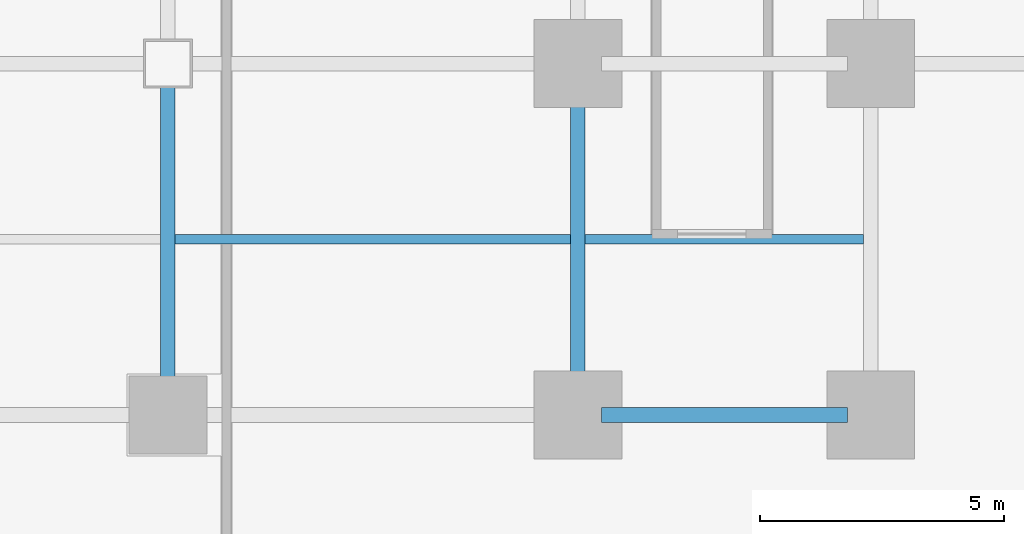
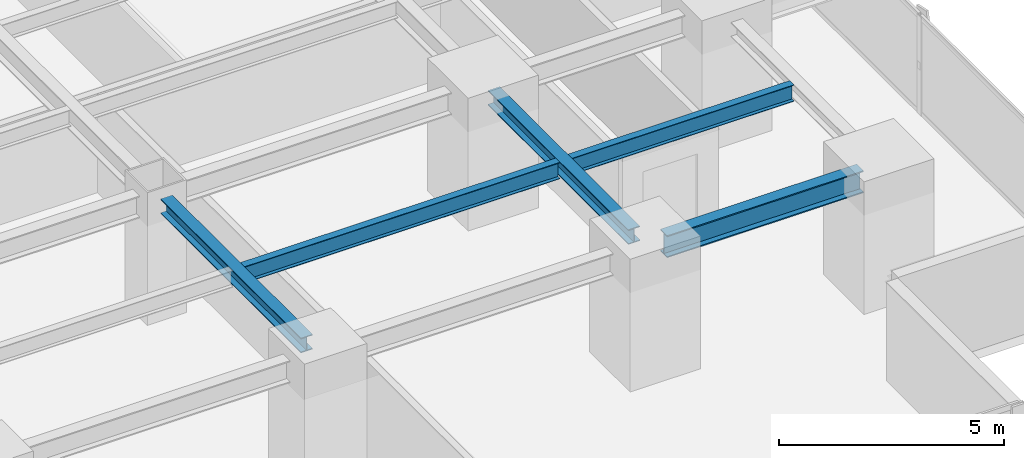
# One storey, part 12 of 33: 5 beams.
"""IFC4 building model written with IfcOpenShell, lengths in metres."""

import ifcopenshell
import ifcopenshell.guid

model = None  # the IFC model being written
_history = None  # IfcOwnerHistory: only IFC2X3 demands one
_inside = {}  # id of a spatial element -> (the spatial element, [elements in it])
_under = {}  # id of a project, library or spatial element -> (it, [spatial elements below it])
_declared = {}  # id of a project -> (the project, [libraries it declares])
_typed = {}  # id of a type object -> (the type object, [elements of that type])
_made_of = {}  # id of a material, layer set ... -> (it, [elements and type objects made of it])


def new_model(schema):
    """Start an empty IFC model of exactly this schema.

    Asked for "IFC4X3", IfcOpenShell would pick the latest addendum, in which some entities
    have other attributes; the version numbers below select the first issue.
    IFC2X3 requires an IfcOwnerHistory on every rooted entity: one is made here for all.
    """
    global model, _history
    if schema == "IFC4X3":
        model = ifcopenshell.file(schema_version=(4, 3, 0, 0))
    else:
        model = ifcopenshell.file(schema=schema)
    _inside.clear()
    _under.clear()
    _declared.clear()
    _typed.clear()
    _made_of.clear()
    _history = None
    if model.schema == "IFC2X3":
        org = make("IfcOrganization", Name="unknown")
        user = make(
            "IfcPersonAndOrganization",
            ThePerson=make("IfcPerson", FamilyName="unknown"),
            TheOrganization=org,
        )
        app = make(
            "IfcApplication",
            ApplicationDeveloper=org,
            Version="unknown",
            ApplicationFullName="unknown",
            ApplicationIdentifier="unknown",
        )
        _history = make(
            "IfcOwnerHistory",
            OwningUser=user,
            OwningApplication=app,
            ChangeAction="ADDED",
            CreationDate=0,
        )
    return model


def make(cls, **values):
    """One entity of the class cls with the attributes given. An attribute that is None is left unset."""
    return model.create_entity(
        cls, **{name: value for name, value in values.items() if value is not None}
    )


def rooted(cls, **values):
    """An entity with a GlobalId (a new one), such as an element, a storey or a relation."""
    return make(cls, GlobalId=ifcopenshell.guid.new(), OwnerHistory=_history, **values)


def si_unit(unit_type, name, prefix=None):
    """IfcSIUnit, for example si_unit("LENGTHUNIT", "METRE", prefix="MILLI")."""
    return make("IfcSIUnit", UnitType=unit_type, Prefix=prefix, Name=name)


def assignment(units):
    """IfcUnitAssignment: the units of a project."""
    return None if units is None else make("IfcUnitAssignment", Units=units)


def point(xyz):
    """IfcCartesianPoint."""
    return None if xyz is None else make("IfcCartesianPoint", Coordinates=xyz)


def direction(xyz):
    """IfcDirection."""
    return None if xyz is None else make("IfcDirection", DirectionRatios=xyz)


def frame(location, z_axis=None, x_axis=None):
    """IfcAxis2Placement3D, a coordinate frame: its origin and axes. An axis left out is left unset."""
    return make(
        "IfcAxis2Placement3D",
        Location=point(location),
        Axis=direction(z_axis),
        RefDirection=direction(x_axis),
    )


def frame_2d(location, x_axis=None):
    """IfcAxis2Placement2D, a coordinate frame in the plane: its origin and x axis."""
    return make(
        "IfcAxis2Placement2D", Location=point(location), RefDirection=direction(x_axis)
    )


def origin():
    """The frame at (0, 0, 0) with its axes left unset."""
    return frame((0.0, 0.0, 0.0))


def origin_2d():
    """The frame at (0, 0) in the plane with its x axis left unset."""
    return frame_2d((0.0, 0.0))


def place(relative_to, where):
    """IfcLocalPlacement: puts the frame where relative to a parent placement (None: the world)."""
    return make(
        "IfcLocalPlacement", PlacementRelTo=relative_to, RelativePlacement=where
    )


def context(
    kind, dimensions, precision=None, world=None, true_north=None, identifier=None
):
    """IfcGeometricRepresentationContext, for example the 3D "Model" context."""
    return make(
        "IfcGeometricRepresentationContext",
        ContextIdentifier=identifier,
        ContextType=kind,
        CoordinateSpaceDimension=dimensions,
        Precision=precision,
        WorldCoordinateSystem=world,
        TrueNorth=true_north,
    )


def subcontext(parent, identifier, kind, view, scale=None):
    """IfcGeometricRepresentationSubContext, for example "Body" below "Model"."""
    return make(
        "IfcGeometricRepresentationSubContext",
        ContextIdentifier=identifier,
        ContextType=kind,
        ParentContext=parent,
        TargetScale=scale,
        TargetView=view,
    )


def project(units=None, contexts=None):
    """IfcProject with its units and contexts."""
    return rooted(
        "IfcProject",
        Name="project",
        RepresentationContexts=contexts,
        UnitsInContext=assignment(units),
    )


def spatial(cls, under=None, at=None, **own):
    """A site, building, storey or space (cls), placed at a placement, below another one or the project."""
    s = rooted(cls, ObjectPlacement=at, **own)
    if under is not None:
        _under.setdefault(under.id(), (under, []))[1].append(s)
    return s


def profile(cls, at=None, kind="AREA", **sizes):
    """A parametric profile (cls). Its sizes go by their IFC names, for example OverallWidth=200.0."""
    return make(cls, ProfileType=kind, Position=at, **sizes)


def i_section(**sizes):
    """IfcIShapeProfileDef."""
    return profile("IfcIShapeProfileDef", **sizes)


def extrude(swept, where, along, depth):
    """IfcExtrudedAreaSolid: the profile swept, set in the frame where, extruded along a direction by depth."""
    return make(
        "IfcExtrudedAreaSolid",
        SweptArea=swept,
        Position=where,
        ExtrudedDirection=direction(along),
        Depth=depth,
    )


def shape(context_of_items, identifier, shape_type, items):
    """IfcShapeRepresentation: the items that make up one representation, for example the "Body"."""
    return make(
        "IfcShapeRepresentation",
        ContextOfItems=context_of_items,
        RepresentationIdentifier=identifier,
        RepresentationType=shape_type,
        Items=items,
    )


def source(mapping_origin, context_of_items, identifier, shape_type, items):
    """IfcRepresentationMap: a shape defined once, which mapped items show again and again."""
    return make(
        "IfcRepresentationMap",
        MappingOrigin=mapping_origin,
        MappedRepresentation=shape(context_of_items, identifier, shape_type, items),
    )


def transform(
    local_origin,
    x_axis=None,
    y_axis=None,
    z_axis=None,
    scale=None,
    scale2=None,
    scale3=None,
    uniform=True,
):
    """IfcCartesianTransformationOperator3D, or its non-uniform kind. x_axis, y_axis, z_axis: its Axis1, 2, 3."""
    if uniform:
        return make(
            "IfcCartesianTransformationOperator3D",
            Axis1=direction(x_axis),
            Axis2=direction(y_axis),
            LocalOrigin=point(local_origin),
            Scale=scale,
            Axis3=direction(z_axis),
        )
    return make(
        "IfcCartesianTransformationOperator3DnonUniform",
        Axis1=direction(x_axis),
        Axis2=direction(y_axis),
        LocalOrigin=point(local_origin),
        Scale=scale,
        Axis3=direction(z_axis),
        Scale2=scale2,
        Scale3=scale3,
    )


def mapped(mapping_source, mapping_target):
    """IfcMappedItem: shows the shape of a source again, moved by a transform."""
    return make(
        "IfcMappedItem", MappingSource=mapping_source, MappingTarget=mapping_target
    )


def material(Name=None, Category=None):
    """IfcMaterial."""
    return make("IfcMaterial", Name=Name, Category=Category)


def material_profile(
    of_material, cross_section, Name=None, Category=None, Priority=None
):
    """IfcMaterialProfile: a cross section and its material."""
    return make(
        "IfcMaterialProfile",
        Name=Name,
        Material=of_material,
        Profile=cross_section,
        Priority=Priority,
        Category=Category,
    )


def profile_set(profiles, Name=None, composite=None):
    """IfcMaterialProfileSet."""
    return make(
        "IfcMaterialProfileSet",
        Name=Name,
        MaterialProfiles=profiles,
        CompositeProfile=composite,
    )


def made_of(thing, what):
    """Note that an element or type object is made of a material, layer set ...; save() writes the relation."""
    if what is not None:
        _made_of.setdefault(what.id(), (what, []))[1].append(thing)
    return thing


def type_object(cls, material=None, **own):
    """A type object (cls), such as IfcWallType, which elements share."""
    return made_of(rooted(cls, **own), material)


def element(
    cls,
    number,
    at=None,
    inside=None,
    cuts=None,
    type_object=None,
    material=None,
    context=None,
    identifier="Body",
    shape_type=None,
    held_by="IfcProductDefinitionShape",
    body=None,
    shapes=None,
    **own,
):
    """One element of the class cls, such as IfcWall. Its Tag is "e" and its number.

    at: its placement. inside: the storey or other place that contains it. cuts: it is an
    opening in that element (IfcRelVoidsElement). A single representation is given by context,
    identifier, shape_type and body (its items); several are given by shapes. held_by: the class
    of the entity that holds the representations. save() writes the other relations.
    """
    e = rooted(cls, Tag="e%d" % number, ObjectPlacement=at, **own)
    if body is not None:
        shapes = [shape(context, identifier, shape_type, body)]
    if shapes is not None:
        e.Representation = make(held_by, Representations=shapes)
    if inside is not None:
        _inside.setdefault(inside.id(), (inside, []))[1].append(e)
    if cuts is not None:
        rooted(
            "IfcRelVoidsElement", RelatingBuildingElement=cuts, RelatedOpeningElement=e
        )
    if type_object is not None:
        _typed.setdefault(type_object.id(), (type_object, []))[1].append(e)
    return made_of(e, material)


def aggregate(whole, parts):
    """IfcRelAggregates: a whole, such as a stair, and the parts it consists of."""
    return rooted("IfcRelAggregates", RelatingObject=whole, RelatedObjects=parts)


def save(model, path):
    """Write the relations noted so far, then the file.

    IfcRelAggregates (storeys below a building ...), IfcRelContainedInSpatialStructure (elements
    in a storey), IfcRelDefinesByType, IfcRelAssociatesMaterial and IfcRelDeclares: one each for
    every whole, place, type object, material and project.
    """
    for whole, parts in _under.values():
        aggregate(whole, parts)
    for where, things in _inside.values():
        rooted(
            "IfcRelContainedInSpatialStructure",
            RelatedElements=things,
            RelatingStructure=where,
        )
    for kind, things in _typed.values():
        rooted("IfcRelDefinesByType", RelatedObjects=things, RelatingType=kind)
    for what, things in _made_of.values():
        rooted("IfcRelAssociatesMaterial", RelatedObjects=things, RelatingMaterial=what)
    for by, libraries in _declared.values():
        rooted("IfcRelDeclares", RelatingContext=by, RelatedDefinitions=libraries)
    model.write(path)


model = new_model("IFC4")

# Units and contexts
model_context = context("Model", 3, precision=1e-05, world=origin(), true_north=direction((0.0, 1.0)))
body_context = subcontext(model_context, "Body", "Model", "MODEL_VIEW")
ifc_project = project(units=[si_unit("LENGTHUNIT", "METRE"), si_unit("AREAUNIT", "SQUARE_METRE"), si_unit("VOLUMEUNIT", "CUBIC_METRE"), si_unit("PLANEANGLEUNIT", "RADIAN"), si_unit("MASSUNIT", "GRAM", prefix="KILO")], contexts=[model_context])

# Site, building, storey
site_placement = place(None, origin())
site = spatial("IfcSite", under=ifc_project, at=site_placement, CompositionType="ELEMENT")
building_placement = place(site_placement, origin())
building = spatial("IfcBuilding", under=site, at=building_placement, Name="Sumidabori Civic Tower", CompositionType="ELEMENT")
storey_placement = place(building_placement, frame((0.0, 0.0, 66.800048828125)))
storey = spatial("IfcBuildingStorey", under=building, at=storey_placement, Name="L17", CompositionType="ELEMENT", Elevation=66.800048828125)

# Beams
ifc_material = material(Name="Steel SN490", Category="steel")
ifc_material_profile_1 = material_profile(ifc_material, i_section(OverallWidth=0.300048828125, OverallDepth=0.60009765625, WebThickness=0.015380859375, FlangeThickness=0.030029296875, at=origin_2d()), Name="HE 600 B")
ifc_profile_set_1 = profile_set([ifc_material_profile_1], Name="Steel SN490")
beam_type_1 = type_object("IfcBeamType", Name="BM-GIRD-600", PredefinedType="BEAM", material=ifc_profile_set_1)
shared_shape_1 = source(origin(), body_context, "Body", "SweptSolid", [
    extrude(i_section(OverallWidth=0.300048828125, OverallDepth=0.60009765625, WebThickness=0.015380859375, FlangeThickness=0.030029296875, at=origin_2d()), origin(), (0.0, 0.0, 1.0), 5.0400390625),
])
beam_1_placement = place(storey_placement, frame((17.280029296875, -18.0, 3.0), z_axis=(1.0, 0.0, 0.0), x_axis=(0.0, 1.0, 0.0)))
element("IfcBeam", 1, at=beam_1_placement, inside=storey, type_object=beam_type_1, Name="Primary Girder L17 GX-06", PredefinedType="BEAM", context=body_context, shape_type="MappedRepresentation", body=[
    mapped(shared_shape_1, transform((0.0, 0.0, 0.0), x_axis=(1.0, 0.0, 0.0), y_axis=(0.0, 1.0, 0.0), z_axis=(0.0, 0.0, 1.0), scale=1.0)),
])
ifc_material_profile_2 = material_profile(ifc_material, i_section(OverallWidth=0.300048828125, OverallDepth=0.39990234375, WebThickness=0.013427734375, FlangeThickness=0.02392578125, at=origin_2d()), Name="HE 400 B")
ifc_profile_set_2 = profile_set([ifc_material_profile_2], Name="Steel SN490")
beam_type_2 = type_object("IfcBeamType", Name="BM-GIRD-400", PredefinedType="BEAM", material=ifc_profile_set_2)
shared_shape_2 = source(origin(), body_context, "Body", "SweptSolid", [
    extrude(i_section(OverallWidth=0.300048828125, OverallDepth=0.39990234375, WebThickness=0.013427734375, FlangeThickness=0.02392578125, at=origin_2d()), origin(), (0.0, 0.0, 1.0), 6.239990234375),
])
for number, where, z_axis, x_axis, name in (
    (2, (8.39990234375, -17.52001953125, 3.099853515625), (0.0, 1.0, 0.0), (-1.0, 0.0, 0.0), "Primary Girder L17 GY-33"),
    (3, (16.800048828125, -17.52001953125, 3.099853515625), (0.0, 1.0, 0.0), (-1.0, 0.0, 0.0), "Primary Girder L17 GY-35"),
):
    element("IfcBeam", number, at=place(storey_placement, frame(where, z_axis=z_axis, x_axis=x_axis)), inside=storey, type_object=beam_type_2, Name=name, PredefinedType="BEAM", context=body_context, shape_type="MappedRepresentation", body=[
        mapped(shared_shape_2, transform((0.0, 0.0, 0.0), x_axis=(1.0, 0.0, 0.0), y_axis=(0.0, 1.0, 0.0), z_axis=(0.0, 0.0, 1.0), scale=1.0)),
    ])
ifc_material_profile_3 = material_profile(ifc_material, i_section(OverallWidth=0.18994140625, OverallDepth=0.449951171875, WebThickness=0.009521484375, FlangeThickness=0.0146484375, at=origin_2d()), Name="IPE 450")
ifc_profile_set_3 = profile_set([ifc_material_profile_3], Name="Steel SN490")
beam_type_3 = type_object("IfcBeamType", Name="BM-JST-450", PredefinedType="JOIST", material=ifc_profile_set_3)
shared_shape_3 = source(origin(), body_context, "Body", "SweptSolid", [
    extrude(i_section(OverallWidth=0.18994140625, OverallDepth=0.449951171875, WebThickness=0.009521484375, FlangeThickness=0.0146484375, at=origin_2d()), origin(), (0.0, 0.0, 1.0), 5.699951171875),
])
beam_2_placement = place(storey_placement, frame((16.949951171875, -14.39990234375, 3.074951171875), z_axis=(1.0, 0.0, 0.0), x_axis=(0.0, 1.0, 0.0)))
element("IfcBeam", 4, at=beam_2_placement, inside=storey, type_object=beam_type_3, Name="Outer Bay Floor Joist L17 JSTO-58", PredefinedType="JOIST", context=body_context, shape_type="MappedRepresentation", body=[
    mapped(shared_shape_3, transform((0.0, 0.0, 0.0), x_axis=(1.0, 0.0, 0.0), y_axis=(0.0, 1.0, 0.0), z_axis=(0.0, 0.0, 1.0), scale=1.0)),
])
shared_shape_4 = source(origin(), body_context, "Body", "SweptSolid", [
    extrude(i_section(OverallWidth=0.18994140625, OverallDepth=0.449951171875, WebThickness=0.009521484375, FlangeThickness=0.0146484375, at=origin_2d()), origin(), (0.0, 0.0, 1.0), 8.099853515625),
])
beam_3_placement = place(storey_placement, frame((8.550048828125, -14.39990234375, 3.074951171875), z_axis=(1.0, 0.0, 0.0), x_axis=(0.0, 1.0, 0.0)))
element("IfcBeam", 5, at=beam_3_placement, inside=storey, type_object=beam_type_3, Name="South Bay Floor Joist L17 JSTS-64", PredefinedType="JOIST", context=body_context, shape_type="MappedRepresentation", body=[
    mapped(shared_shape_4, transform((0.0, 0.0, 0.0), x_axis=(1.0, 0.0, 0.0), y_axis=(0.0, 1.0, 0.0), z_axis=(0.0, 0.0, 1.0), scale=1.0)),
])

save(model, "model.ifc")
